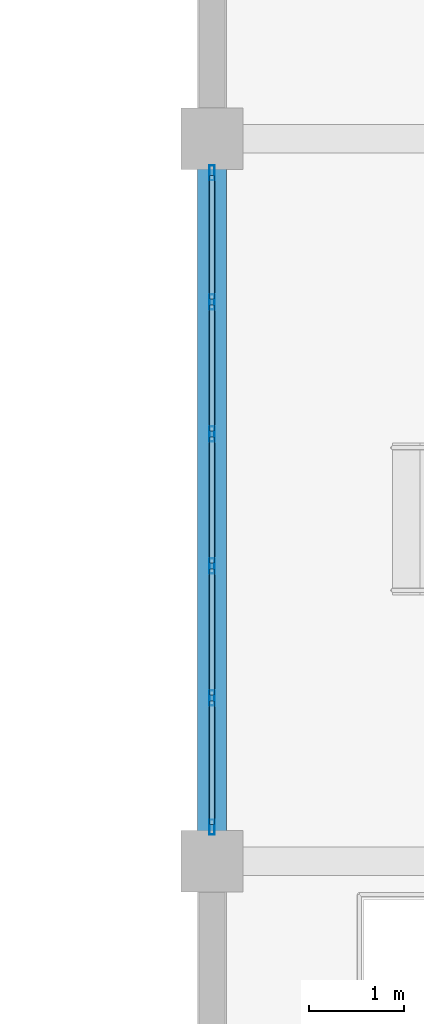
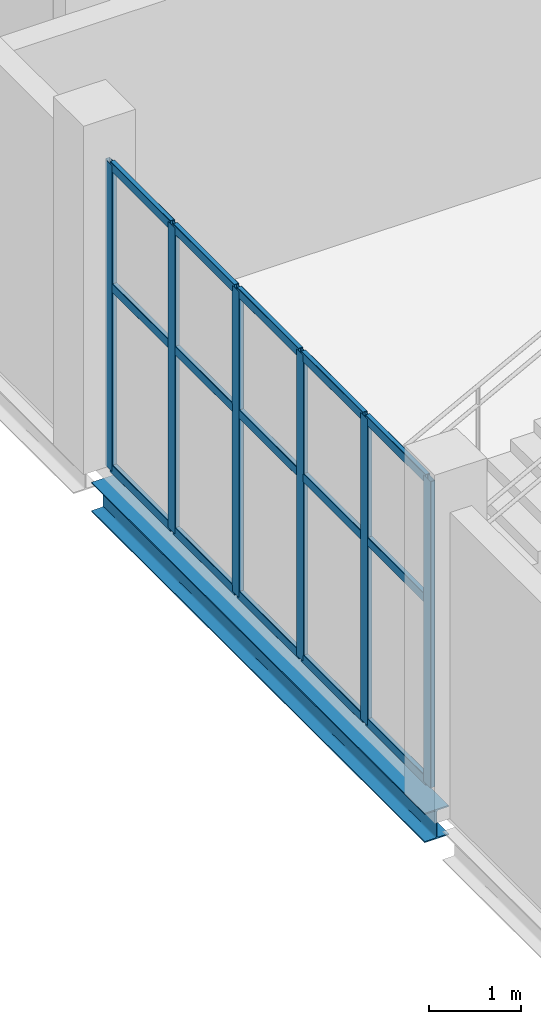
# One storey, part 94 of 172: 21 members, 1 beam, 1 element without a shape of its own.
"""IFC4 building model written with IfcOpenShell, lengths in metres."""

from ifc_helpers import new_model, si_unit, direction, frame, origin, origin_2d, place, context, subcontext, project, spatial, hollow_rectangle, i_section, extrude, material, material_profile, profile_set, type_object, element, aggregate, save


model = new_model("IFC4")

# Units and contexts
model_context = context("Model", 3, precision=1e-05, world=origin(), true_north=direction((0.0, 1.0)))
body_context = subcontext(model_context, "Body", "Model", "MODEL_VIEW")
ifc_project = project(units=[si_unit("LENGTHUNIT", "METRE"), si_unit("AREAUNIT", "SQUARE_METRE"), si_unit("VOLUMEUNIT", "CUBIC_METRE"), si_unit("PLANEANGLEUNIT", "RADIAN"), si_unit("MASSUNIT", "GRAM", prefix="KILO")], contexts=[model_context])

# Site, building, storey
site_placement = place(None, origin())
site = spatial("IfcSite", under=ifc_project, at=site_placement, CompositionType="ELEMENT")
building_placement = place(site_placement, origin())
building = spatial("IfcBuilding", under=site, at=building_placement, Name="Shengluoqiao Park Theatre", CompositionType="ELEMENT")
storey_placement = place(building_placement, frame((0.0, 0.0, 5.39990234375)))
storey = spatial("IfcBuildingStorey", under=building, at=storey_placement, Name="L01", CompositionType="ELEMENT", Elevation=5.39990234375)

# Curtain wall, members
ifc_material_1 = material(Name="Aluminium 6063-T6", Category="aluminium")
curtain_wall_type = type_object("IfcCurtainWallType", Name="ENV-CW-COURT", PredefinedType="NOTDEFINED", material=ifc_material_1)
curtain_wall_placement = place(storey_placement, origin())
curtain_wall = element("IfcCurtainWall", 1, at=curtain_wall_placement, inside=storey, type_object=curtain_wall_type, Name="L01 Curtain Wall CWX-L01-0205", PredefinedType="NOTDEFINED")
ifc_material_profile_1 = material_profile(ifc_material_1, hollow_rectangle(XDim=0.06005859375, YDim=0.159912109375, WallThickness=0.00390625, InnerFilletRadius=0.00390625, OuterFilletRadius=0.008056640625, at=origin_2d()), Name="ALU MULLION 160x60x4")
ifc_profile_set_1 = profile_set([ifc_material_profile_1], Name="Aluminium 6063-T6")
member_type_1 = type_object("IfcMemberType", Name="ENV-MUL-160", PredefinedType="MULLION", material=ifc_profile_set_1)
member_1_placement = place(storey_placement, frame((148.39990234375, 7.958984375, 0.0), z_axis=(0.0, 0.0, 1.0), x_axis=(-1.0, 0.0, 0.0)))
member_1 = element("IfcMember", 2, at=member_1_placement, type_object=member_type_1, Name="CW-05 mullion 1", PredefinedType="MULLION", context=body_context, shape_type="SweptSolid", body=[
    extrude(hollow_rectangle(XDim=0.06005859375, YDim=0.159912109375, WallThickness=0.00390625, InnerFilletRadius=0.00390625, OuterFilletRadius=0.008056640625, at=origin_2d()), origin(), (0.0, 0.0, 1.0), 4.044189453125),
])
member_2_placement = place(storey_placement, frame((148.39990234375, 9.3173828125, 0.0), z_axis=(0.0, 0.0, 1.0), x_axis=(-1.0, 0.0, 0.0)))
member_2 = element("IfcMember", 3, at=member_2_placement, type_object=member_type_1, Name="CW-05 mullion 2", PredefinedType="MULLION", context=body_context, shape_type="SweptSolid", body=[
    extrude(hollow_rectangle(XDim=0.06005859375, YDim=0.159912109375, WallThickness=0.00390625, InnerFilletRadius=0.00390625, OuterFilletRadius=0.008056640625, at=origin_2d()), origin(), (0.0, 0.0, 1.0), 4.044189453125),
])
member_3_placement = place(storey_placement, frame((148.39990234375, 10.705810546875, 0.0), z_axis=(0.0, 0.0, 1.0), x_axis=(-1.0, 0.0, 0.0)))
member_3 = element("IfcMember", 4, at=member_3_placement, type_object=member_type_1, Name="CW-05 mullion 3", PredefinedType="MULLION", context=body_context, shape_type="SweptSolid", body=[
    extrude(hollow_rectangle(XDim=0.06005859375, YDim=0.159912109375, WallThickness=0.00390625, InnerFilletRadius=0.00390625, OuterFilletRadius=0.008056640625, at=origin_2d()), origin(), (0.0, 0.0, 1.0), 4.044189453125),
])
member_4_placement = place(storey_placement, frame((148.39990234375, 12.09423828125, 0.0), z_axis=(0.0, 0.0, 1.0), x_axis=(-1.0, 0.0, 0.0)))
member_4 = element("IfcMember", 5, at=member_4_placement, type_object=member_type_1, Name="CW-05 mullion 4", PredefinedType="MULLION", context=body_context, shape_type="SweptSolid", body=[
    extrude(hollow_rectangle(XDim=0.06005859375, YDim=0.159912109375, WallThickness=0.00390625, InnerFilletRadius=0.00390625, OuterFilletRadius=0.008056640625, at=origin_2d()), origin(), (0.0, 0.0, 1.0), 4.044189453125),
])
member_5_placement = place(storey_placement, frame((148.39990234375, 13.482666015625, 0.0), z_axis=(0.0, 0.0, 1.0), x_axis=(-1.0, 0.0, 0.0)))
member_5 = element("IfcMember", 6, at=member_5_placement, type_object=member_type_1, Name="CW-05 mullion 5", PredefinedType="MULLION", context=body_context, shape_type="SweptSolid", body=[
    extrude(hollow_rectangle(XDim=0.06005859375, YDim=0.159912109375, WallThickness=0.00390625, InnerFilletRadius=0.00390625, OuterFilletRadius=0.008056640625, at=origin_2d()), origin(), (0.0, 0.0, 1.0), 4.044189453125),
])
member_6_placement = place(storey_placement, frame((148.39990234375, 14.841064453125, 0.0), z_axis=(0.0, 0.0, 1.0), x_axis=(-1.0, 0.0, 0.0)))
member_6 = element("IfcMember", 7, at=member_6_placement, type_object=member_type_1, Name="CW-05 mullion 6", PredefinedType="MULLION", context=body_context, shape_type="SweptSolid", body=[
    extrude(hollow_rectangle(XDim=0.06005859375, YDim=0.159912109375, WallThickness=0.00390625, InnerFilletRadius=0.00390625, OuterFilletRadius=0.008056640625, at=origin_2d()), origin(), (0.0, 0.0, 1.0), 4.044189453125),
])
ifc_material_profile_2 = material_profile(ifc_material_1, hollow_rectangle(XDim=0.06005859375, YDim=0.1201171875, WallThickness=0.00390625, InnerFilletRadius=0.00390625, OuterFilletRadius=0.008056640625, at=origin_2d()), Name="ALU TRANSOM 120x60x4")
ifc_profile_set_2 = profile_set([ifc_material_profile_2], Name="Aluminium 6063-T6")
member_type_2 = type_object("IfcMemberType", Name="ENV-TRN-120", PredefinedType="USERDEFINED", material=ifc_profile_set_2)
member_7_placement = place(storey_placement, frame((148.39990234375, 7.989013671875, 0.030029296875), z_axis=(0.0, 1.0, 0.0), x_axis=(-1.0, 0.0, 0.0)))
member_7 = element("IfcMember", 8, at=member_7_placement, type_object=member_type_2, Name="CW-05 transom 1.1", ObjectType="TRANSOM", PredefinedType="USERDEFINED", context=body_context, shape_type="SweptSolid", body=[
    extrude(hollow_rectangle(XDim=0.06005859375, YDim=0.1201171875, WallThickness=0.00390625, InnerFilletRadius=0.00390625, OuterFilletRadius=0.008056640625, at=origin_2d()), origin(), (0.0, 0.0, 1.0), 1.29833984375),
])
member_8_placement = place(storey_placement, frame((148.39990234375, 7.989013671875, 2.426025390625), z_axis=(0.0, 1.0, 0.0), x_axis=(-1.0, 0.0, 0.0)))
member_8 = element("IfcMember", 9, at=member_8_placement, type_object=member_type_2, Name="CW-05 transom 1.2", ObjectType="TRANSOM", PredefinedType="USERDEFINED", context=body_context, shape_type="SweptSolid", body=[
    extrude(hollow_rectangle(XDim=0.06005859375, YDim=0.1201171875, WallThickness=0.00390625, InnerFilletRadius=0.00390625, OuterFilletRadius=0.008056640625, at=origin_2d()), origin(), (0.0, 0.0, 1.0), 1.29833984375),
])
member_9_placement = place(storey_placement, frame((148.39990234375, 7.989013671875, 4.01416015625), z_axis=(0.0, 1.0, 0.0), x_axis=(-1.0, 0.0, 0.0)))
member_9 = element("IfcMember", 10, at=member_9_placement, type_object=member_type_2, Name="CW-05 transom 1.3", ObjectType="TRANSOM", PredefinedType="USERDEFINED", context=body_context, shape_type="SweptSolid", body=[
    extrude(hollow_rectangle(XDim=0.06005859375, YDim=0.1201171875, WallThickness=0.00390625, InnerFilletRadius=0.00390625, OuterFilletRadius=0.008056640625, at=origin_2d()), origin(), (0.0, 0.0, 1.0), 1.29833984375),
])
member_10_placement = place(storey_placement, frame((148.39990234375, 9.347412109375, 0.030029296875), z_axis=(0.0, 1.0, 0.0), x_axis=(-1.0, 0.0, 0.0)))
member_10 = element("IfcMember", 11, at=member_10_placement, type_object=member_type_2, Name="CW-05 transom 2.1", ObjectType="TRANSOM", PredefinedType="USERDEFINED", context=body_context, shape_type="SweptSolid", body=[
    extrude(hollow_rectangle(XDim=0.06005859375, YDim=0.1201171875, WallThickness=0.00390625, InnerFilletRadius=0.00390625, OuterFilletRadius=0.008056640625, at=origin_2d()), origin(), (0.0, 0.0, 1.0), 1.328369140625),
])
member_11_placement = place(storey_placement, frame((148.39990234375, 9.347412109375, 2.426025390625), z_axis=(0.0, 1.0, 0.0), x_axis=(-1.0, 0.0, 0.0)))
member_11 = element("IfcMember", 12, at=member_11_placement, type_object=member_type_2, Name="CW-05 transom 2.2", ObjectType="TRANSOM", PredefinedType="USERDEFINED", context=body_context, shape_type="SweptSolid", body=[
    extrude(hollow_rectangle(XDim=0.06005859375, YDim=0.1201171875, WallThickness=0.00390625, InnerFilletRadius=0.00390625, OuterFilletRadius=0.008056640625, at=origin_2d()), origin(), (0.0, 0.0, 1.0), 1.328369140625),
])
member_12_placement = place(storey_placement, frame((148.39990234375, 9.347412109375, 4.01416015625), z_axis=(0.0, 1.0, 0.0), x_axis=(-1.0, 0.0, 0.0)))
member_12 = element("IfcMember", 13, at=member_12_placement, type_object=member_type_2, Name="CW-05 transom 2.3", ObjectType="TRANSOM", PredefinedType="USERDEFINED", context=body_context, shape_type="SweptSolid", body=[
    extrude(hollow_rectangle(XDim=0.06005859375, YDim=0.1201171875, WallThickness=0.00390625, InnerFilletRadius=0.00390625, OuterFilletRadius=0.008056640625, at=origin_2d()), origin(), (0.0, 0.0, 1.0), 1.328369140625),
])
member_13_placement = place(storey_placement, frame((148.39990234375, 10.73583984375, 0.030029296875), z_axis=(0.0, 1.0, 0.0), x_axis=(-1.0, 0.0, 0.0)))
member_13 = element("IfcMember", 14, at=member_13_placement, type_object=member_type_2, Name="CW-05 transom 3.1", ObjectType="TRANSOM", PredefinedType="USERDEFINED", context=body_context, shape_type="SweptSolid", body=[
    extrude(hollow_rectangle(XDim=0.06005859375, YDim=0.1201171875, WallThickness=0.00390625, InnerFilletRadius=0.00390625, OuterFilletRadius=0.008056640625, at=origin_2d()), origin(), (0.0, 0.0, 1.0), 1.328369140625),
])
member_14_placement = place(storey_placement, frame((148.39990234375, 10.73583984375, 2.426025390625), z_axis=(0.0, 1.0, 0.0), x_axis=(-1.0, 0.0, 0.0)))
member_14 = element("IfcMember", 15, at=member_14_placement, type_object=member_type_2, Name="CW-05 transom 3.2", ObjectType="TRANSOM", PredefinedType="USERDEFINED", context=body_context, shape_type="SweptSolid", body=[
    extrude(hollow_rectangle(XDim=0.06005859375, YDim=0.1201171875, WallThickness=0.00390625, InnerFilletRadius=0.00390625, OuterFilletRadius=0.008056640625, at=origin_2d()), origin(), (0.0, 0.0, 1.0), 1.328369140625),
])
member_15_placement = place(storey_placement, frame((148.39990234375, 10.73583984375, 4.01416015625), z_axis=(0.0, 1.0, 0.0), x_axis=(-1.0, 0.0, 0.0)))
member_15 = element("IfcMember", 16, at=member_15_placement, type_object=member_type_2, Name="CW-05 transom 3.3", ObjectType="TRANSOM", PredefinedType="USERDEFINED", context=body_context, shape_type="SweptSolid", body=[
    extrude(hollow_rectangle(XDim=0.06005859375, YDim=0.1201171875, WallThickness=0.00390625, InnerFilletRadius=0.00390625, OuterFilletRadius=0.008056640625, at=origin_2d()), origin(), (0.0, 0.0, 1.0), 1.328369140625),
])
member_16_placement = place(storey_placement, frame((148.39990234375, 12.124267578125, 0.030029296875), z_axis=(0.0, 1.0, 0.0), x_axis=(-1.0, 0.0, 0.0)))
member_16 = element("IfcMember", 17, at=member_16_placement, type_object=member_type_2, Name="CW-05 transom 4.1", ObjectType="TRANSOM", PredefinedType="USERDEFINED", context=body_context, shape_type="SweptSolid", body=[
    extrude(hollow_rectangle(XDim=0.06005859375, YDim=0.1201171875, WallThickness=0.00390625, InnerFilletRadius=0.00390625, OuterFilletRadius=0.008056640625, at=origin_2d()), origin(), (0.0, 0.0, 1.0), 1.328369140625),
])
member_17_placement = place(storey_placement, frame((148.39990234375, 12.124267578125, 2.426025390625), z_axis=(0.0, 1.0, 0.0), x_axis=(-1.0, 0.0, 0.0)))
member_17 = element("IfcMember", 18, at=member_17_placement, type_object=member_type_2, Name="CW-05 transom 4.2", ObjectType="TRANSOM", PredefinedType="USERDEFINED", context=body_context, shape_type="SweptSolid", body=[
    extrude(hollow_rectangle(XDim=0.06005859375, YDim=0.1201171875, WallThickness=0.00390625, InnerFilletRadius=0.00390625, OuterFilletRadius=0.008056640625, at=origin_2d()), origin(), (0.0, 0.0, 1.0), 1.328369140625),
])
member_18_placement = place(storey_placement, frame((148.39990234375, 12.124267578125, 4.01416015625), z_axis=(0.0, 1.0, 0.0), x_axis=(-1.0, 0.0, 0.0)))
member_18 = element("IfcMember", 19, at=member_18_placement, type_object=member_type_2, Name="CW-05 transom 4.3", ObjectType="TRANSOM", PredefinedType="USERDEFINED", context=body_context, shape_type="SweptSolid", body=[
    extrude(hollow_rectangle(XDim=0.06005859375, YDim=0.1201171875, WallThickness=0.00390625, InnerFilletRadius=0.00390625, OuterFilletRadius=0.008056640625, at=origin_2d()), origin(), (0.0, 0.0, 1.0), 1.328369140625),
])
member_19_placement = place(storey_placement, frame((148.39990234375, 13.5126953125, 0.030029296875), z_axis=(0.0, 1.0, 0.0), x_axis=(-1.0, 0.0, 0.0)))
member_19 = element("IfcMember", 20, at=member_19_placement, type_object=member_type_2, Name="CW-05 transom 5.1", ObjectType="TRANSOM", PredefinedType="USERDEFINED", context=body_context, shape_type="SweptSolid", body=[
    extrude(hollow_rectangle(XDim=0.06005859375, YDim=0.1201171875, WallThickness=0.00390625, InnerFilletRadius=0.00390625, OuterFilletRadius=0.008056640625, at=origin_2d()), origin(), (0.0, 0.0, 1.0), 1.29833984375),
])
member_20_placement = place(storey_placement, frame((148.39990234375, 13.5126953125, 2.426025390625), z_axis=(0.0, 1.0, 0.0), x_axis=(-1.0, 0.0, 0.0)))
member_20 = element("IfcMember", 21, at=member_20_placement, type_object=member_type_2, Name="CW-05 transom 5.2", ObjectType="TRANSOM", PredefinedType="USERDEFINED", context=body_context, shape_type="SweptSolid", body=[
    extrude(hollow_rectangle(XDim=0.06005859375, YDim=0.1201171875, WallThickness=0.00390625, InnerFilletRadius=0.00390625, OuterFilletRadius=0.008056640625, at=origin_2d()), origin(), (0.0, 0.0, 1.0), 1.29833984375),
])
member_21_placement = place(storey_placement, frame((148.39990234375, 13.5126953125, 4.01416015625), z_axis=(0.0, 1.0, 0.0), x_axis=(-1.0, 0.0, 0.0)))
member_21 = element("IfcMember", 22, at=member_21_placement, type_object=member_type_2, Name="CW-05 transom 5.3", ObjectType="TRANSOM", PredefinedType="USERDEFINED", context=body_context, shape_type="SweptSolid", body=[
    extrude(hollow_rectangle(XDim=0.06005859375, YDim=0.1201171875, WallThickness=0.00390625, InnerFilletRadius=0.00390625, OuterFilletRadius=0.008056640625, at=origin_2d()), origin(), (0.0, 0.0, 1.0), 1.29833984375),
])
aggregate(curtain_wall, [member_1, member_2, member_3, member_4, member_5, member_6, member_7, member_8, member_9, member_10, member_11, member_12, member_13, member_14, member_15, member_16, member_17, member_18, member_19, member_20, member_21])

# Beam
ifc_material_2 = material(Name="Steel Q355", Category="steel")
ifc_material_profile_3 = material_profile(ifc_material_2, i_section(OverallWidth=0.300048828125, OverallDepth=0.389892578125, WebThickness=0.010009765625, FlangeThickness=0.01611328125, FilletRadius=0.01806640625, at=origin_2d()), Name="HM 390x300x10x16")
ifc_profile_set_3 = profile_set([ifc_material_profile_3], Name="Steel Q355")
beam_type = type_object("IfcBeamType", Name="STR-BM-G-HM390", PredefinedType="BEAM", material=ifc_profile_set_3)
beam_placement = place(storey_placement, frame((148.39990234375, 7.7939453125, -0.434814453125), z_axis=(0.0, 1.0, 0.0), x_axis=(-1.0, 0.0, 0.0)))
element("IfcBeam", 23, at=beam_placement, inside=storey, type_object=beam_type, Name="L01 Transverse Girder 00776", PredefinedType="BEAM", context=body_context, shape_type="SweptSolid", body=[
    extrude(i_section(OverallWidth=0.300048828125, OverallDepth=0.389892578125, WebThickness=0.010009765625, FlangeThickness=0.01611328125, FilletRadius=0.01806640625, at=origin_2d()), origin(), (0.0, 0.0, 1.0), 7.212158203125),
])

save(model, "model.ifc")
